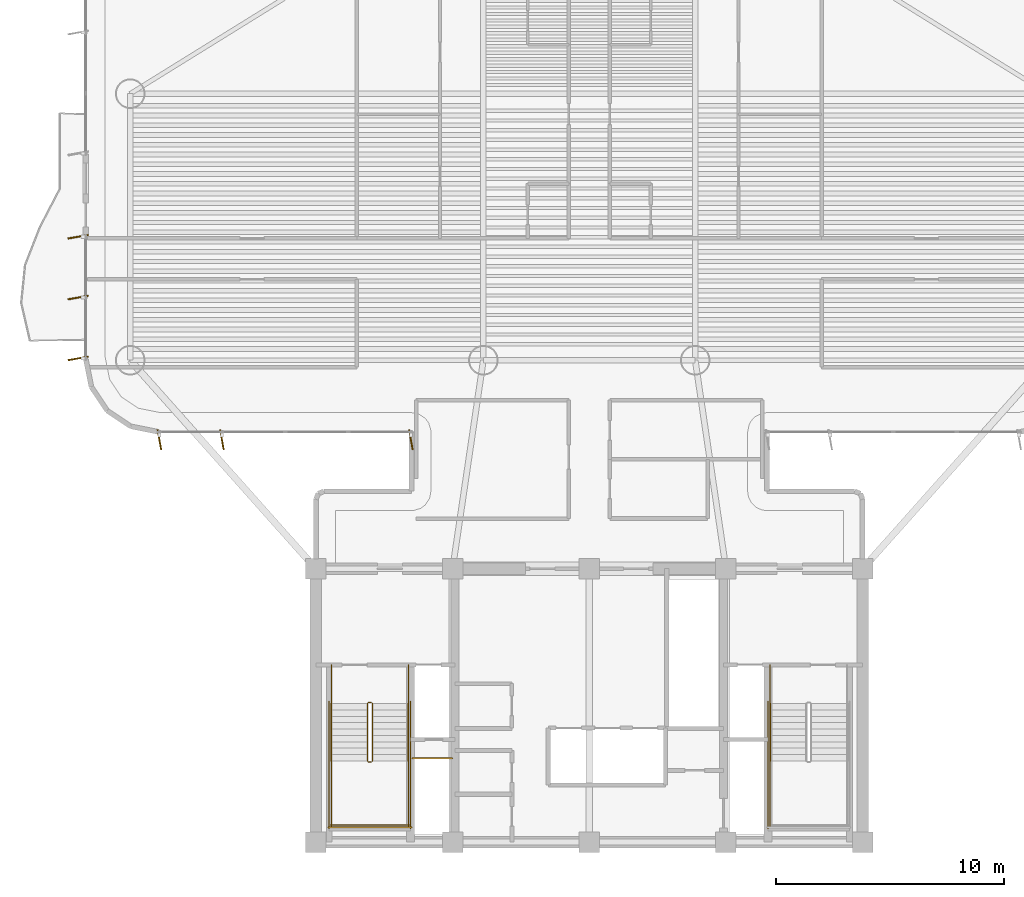
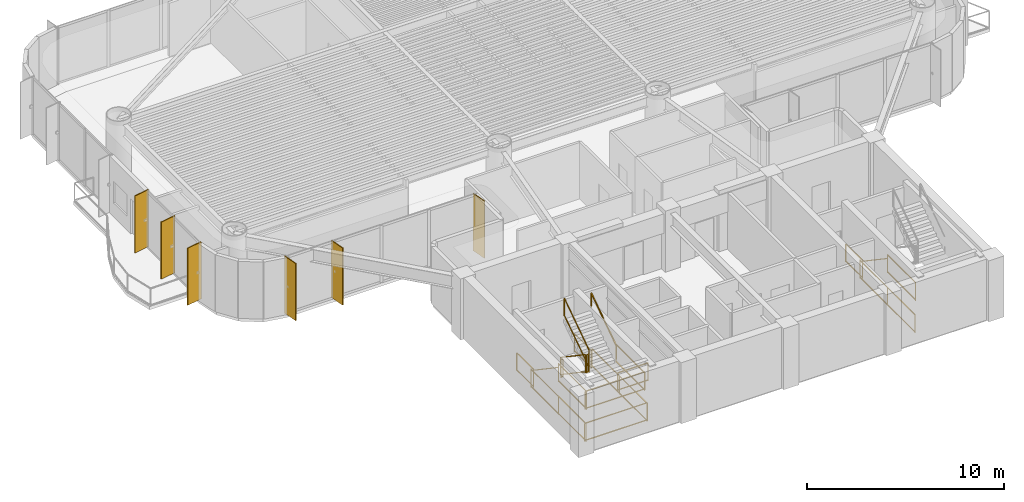
# One storey, part 13 of 16: 19 railings, 6 shading devices.
"""IFC4 building model written with IfcOpenShell, lengths in metres."""

from ifc_helpers import new_model, si_unit, direction, frame, origin, origin_2d, place, context, subcontext, project, spatial, rectangle, extrude, source, transform, mapped, material, layer, layer_set, material_profile, profile_set, type_object, element, save


model = new_model("IFC4")

# Units and contexts
model_context = context("Model", 3, precision=1e-05, world=origin(), true_north=direction((0.0, 1.0)))
body_context = subcontext(model_context, "Body", "Model", "MODEL_VIEW")
ifc_project = project(units=[si_unit("LENGTHUNIT", "METRE"), si_unit("AREAUNIT", "SQUARE_METRE"), si_unit("VOLUMEUNIT", "CUBIC_METRE"), si_unit("PLANEANGLEUNIT", "RADIAN"), si_unit("MASSUNIT", "GRAM", prefix="KILO")], contexts=[model_context])

# Site, building, storey
site_placement = place(None, origin())
site = spatial("IfcSite", under=ifc_project, at=site_placement, CompositionType="ELEMENT")
building_placement = place(site_placement, origin())
building = spatial("IfcBuilding", under=site, at=building_placement, Name="Brelvock Crest Care Tower", CompositionType="ELEMENT")
storey_placement = place(building_placement, frame((0.0, 0.0, 138.9599609375)))
storey = spatial("IfcBuildingStorey", under=building, at=storey_placement, Name="L35", CompositionType="ELEMENT", Elevation=138.9599609375)

# Railings
ifc_material_1 = material(Name="Steel Grade 350", Category="steel")
ifc_layer_1 = layer(ifc_material_1, 0.050048828125, Name="RL-STG1")
ifc_layer_set_1 = layer_set([ifc_layer_1], Name="Steel Grade 350")
railing_type_1 = type_object("IfcRailingType", Name="RL-STG1", PredefinedType="GUARDRAIL", material=ifc_layer_set_1)
railing_1_placement = place(storey_placement, frame((26.260009765625, 12.080078125, 0.18896484375)))
element("IfcRailing", 1, at=railing_1_placement, inside=storey, type_object=railing_type_1, Name="L35 ST-1 stair guard 1", PredefinedType="GUARDRAIL", context=body_context, shape_type="SweptSolid", body=[
    extrude(rectangle(XDim=0.048095703125, YDim=0.048095703125, at=origin_2d()), frame((0.0, -0.001708984375, 1.116943359375), z_axis=(0.0, -0.82882447046, 0.559508710537), x_axis=(1.0, 0.0, 0.0)), (0.0, 0.0, 1.0), 3.036376953125),
    extrude(rectangle(XDim=0.048095703125, YDim=0.048095703125, at=origin_2d()), frame((0.0, -0.001708984375, 0.05615234375), z_axis=(0.0, -0.82882447046, 0.559508710537), x_axis=(1.0, 0.0, 0.0)), (0.0, 0.0, 1.0), 3.036376953125),
    extrude(rectangle(XDim=0.0419921875, YDim=0.0419921875, at=origin_2d()), origin(), (0.0, 0.0, 1.0), 1.08984375),
    extrude(rectangle(XDim=0.0419921875, YDim=0.0419921875, at=origin_2d()), frame((0.0, -2.52001953125, 1.701171875)), (0.0, 0.0, 1.0), 1.08984375),
])
railing_2_placement = place(storey_placement, frame((26.31005859375, 9.510009765625, 1.89013671875)))
element("IfcRailing", 2, at=railing_2_placement, inside=storey, type_object=railing_type_1, Name="L35 ST-1 stair guard 2", PredefinedType="GUARDRAIL", context=body_context, shape_type="SweptSolid", body=[
    extrude(rectangle(XDim=0.048095703125, YDim=0.048095703125, at=origin_2d()), frame((0.001953125, 0.0, 1.11572265625), z_axis=(1.0, 0.0, 0.0), x_axis=(0.0, 1.0, 0.0)), (0.0, 0.0, 1.0), 0.115966796875),
    extrude(rectangle(XDim=0.048095703125, YDim=0.048095703125, at=origin_2d()), frame((0.001953125, 0.0, 0.054931640625), z_axis=(1.0, 0.0, 0.0), x_axis=(0.0, 1.0, 0.0)), (0.0, 0.0, 1.0), 0.115966796875),
    extrude(rectangle(XDim=0.0419921875, YDim=0.0419921875, at=origin_2d()), origin(), (0.0, 0.0, 1.0), 1.08984375),
    extrude(rectangle(XDim=0.0419921875, YDim=0.0419921875, at=origin_2d()), frame((0.119873046875, 0.0, 0.0)), (0.0, 0.0, 1.0), 1.08984375),
])
for number, where, name in (
    (3, (24.679931640625, 9.56005859375, 1.89013671875), "L35 ST-1 stair guard 3"),
    (4, (28.06005859375, 9.56005859375, 1.89013671875), "L35 ST-1 stair guard 4"),
):
    element("IfcRailing", number, at=place(storey_placement, frame(where)), inside=storey, type_object=railing_type_1, Name=name, PredefinedType="GUARDRAIL", context=body_context, shape_type="SweptSolid", body=[
        extrude(rectangle(XDim=0.048095703125, YDim=0.048095703125, at=origin_2d()), frame((0.0, -0.001953125, 1.11572265625), z_axis=(0.0, -1.0, 0.0), x_axis=(1.0, 0.0, 0.0)), (0.0, 0.0, 1.0), 2.856201171875),
        extrude(rectangle(XDim=0.048095703125, YDim=0.048095703125, at=origin_2d()), frame((0.0, -0.001953125, 0.054931640625), z_axis=(0.0, -1.0, 0.0), x_axis=(1.0, 0.0, 0.0)), (0.0, 0.0, 1.0), 2.856201171875),
        extrude(rectangle(XDim=0.0419921875, YDim=0.0419921875, at=origin_2d()), origin(), (0.0, 0.0, 1.0), 1.08984375),
        extrude(rectangle(XDim=0.0419921875, YDim=0.0419921875, at=origin_2d()), frame((0.0, -2.860107421875, 0.0)), (0.0, 0.0, 1.0), 1.08984375),
    ])
railing_3_placement = place(storey_placement, frame((24.6298828125, 6.75, 1.89013671875)))
element("IfcRailing", 5, at=railing_3_placement, inside=storey, type_object=railing_type_1, Name="L35 ST-1 stair guard 5", PredefinedType="GUARDRAIL", context=body_context, shape_type="SweptSolid", body=[
    extrude(rectangle(XDim=0.048095703125, YDim=0.048095703125, at=origin_2d()), frame((0.001953125, 0.0, 1.11572265625), z_axis=(1.0, 0.0, 0.0), x_axis=(0.0, 1.0, 0.0)), (0.0, 0.0, 1.0), 3.476318359375),
    extrude(rectangle(XDim=0.048095703125, YDim=0.048095703125, at=origin_2d()), frame((0.001953125, 0.0, 0.054931640625), z_axis=(1.0, 0.0, 0.0), x_axis=(0.0, 1.0, 0.0)), (0.0, 0.0, 1.0), 3.476318359375),
    extrude(rectangle(XDim=0.0419921875, YDim=0.0419921875, at=origin_2d()), origin(), (0.0, 0.0, 1.0), 1.08984375),
    extrude(rectangle(XDim=0.0419921875, YDim=0.0419921875, at=origin_2d()), frame((3.480224609375, 0.0, 0.0)), (0.0, 0.0, 1.0), 1.08984375),
])
railing_4_placement = place(storey_placement, frame((26.47998046875, 9.56005859375, 2.0791015625)))
element("IfcRailing", 6, at=railing_4_placement, inside=storey, type_object=railing_type_1, Name="L35 ST-1 stair guard 6", PredefinedType="GUARDRAIL", context=body_context, shape_type="SweptSolid", body=[
    extrude(rectangle(XDim=0.048095703125, YDim=0.048095703125, at=origin_2d()), frame((0.0, 0.001708984375, 1.116943359375), z_axis=(0.0, 0.828861706735, 0.559453546873), x_axis=(-1.0, 0.0, 0.0)), (0.0, 0.0, 1.0), 3.036376953125),
    extrude(rectangle(XDim=0.048095703125, YDim=0.048095703125, at=origin_2d()), frame((0.0, 0.001708984375, 0.05615234375), z_axis=(0.0, 0.828861706735, 0.559453546873), x_axis=(-1.0, 0.0, 0.0)), (0.0, 0.0, 1.0), 3.036376953125),
    extrude(rectangle(XDim=0.0419921875, YDim=0.0419921875, at=origin_2d()), origin(), (0.0, 0.0, 1.0), 1.08984375),
    extrude(rectangle(XDim=0.0419921875, YDim=0.0419921875, at=origin_2d()), frame((0.0, 2.52001953125, 1.700927734375)), (0.0, 0.0, 1.0), 1.08984375),
])
railing_5_placement = place(storey_placement, frame((26.31005859375, 12.1298828125, 0.0)))
element("IfcRailing", 7, at=railing_5_placement, inside=storey, type_object=railing_type_1, Name="L35 ST-1 stair guard 7", PredefinedType="GUARDRAIL", context=body_context, shape_type="SweptSolid", body=[
    extrude(rectangle(XDim=0.048095703125, YDim=0.048095703125, at=origin_2d()), frame((0.001953125, 0.0, 1.11572265625), z_axis=(1.0, 0.0, 0.0), x_axis=(0.0, 1.0, 0.0)), (0.0, 0.0, 1.0), 0.115966796875),
    extrude(rectangle(XDim=0.048095703125, YDim=0.048095703125, at=origin_2d()), frame((0.001953125, 0.0, 0.054931640625), z_axis=(1.0, 0.0, 0.0), x_axis=(0.0, 1.0, 0.0)), (0.0, 0.0, 1.0), 0.115966796875),
    extrude(rectangle(XDim=0.0419921875, YDim=0.0419921875, at=origin_2d()), origin(), (0.0, 0.0, 1.0), 1.08984375),
    extrude(rectangle(XDim=0.0419921875, YDim=0.0419921875, at=origin_2d()), frame((0.119873046875, 0.0, 0.0)), (0.0, 0.0, 1.0), 1.08984375),
])
for number, where, name in (
    (8, (24.679931640625, 13.780029296875, 0.0), "L35 ST-1 stair guard 8"),
    (9, (28.06005859375, 13.780029296875, 0.0), "L35 ST-1 stair guard 9"),
):
    element("IfcRailing", number, at=place(storey_placement, frame(where)), inside=storey, type_object=railing_type_1, Name=name, PredefinedType="GUARDRAIL", context=body_context, shape_type="SweptSolid", body=[
        extrude(rectangle(XDim=0.048095703125, YDim=0.048095703125, at=origin_2d()), frame((0.0, -0.001953125, 1.11572265625), z_axis=(0.0, -1.0, 0.0), x_axis=(1.0, 0.0, 0.0)), (0.0, 0.0, 1.0), 1.696044921875),
        extrude(rectangle(XDim=0.048095703125, YDim=0.048095703125, at=origin_2d()), frame((0.0, -0.001953125, 0.054931640625), z_axis=(0.0, -1.0, 0.0), x_axis=(1.0, 0.0, 0.0)), (0.0, 0.0, 1.0), 1.696044921875),
        extrude(rectangle(XDim=0.0419921875, YDim=0.0419921875, at=origin_2d()), origin(), (0.0, 0.0, 1.0), 1.08984375),
        extrude(rectangle(XDim=0.0419921875, YDim=0.0419921875, at=origin_2d()), frame((0.0, -1.699951171875, 0.0)), (0.0, 0.0, 1.0), 1.08984375),
    ])
for number, where, name in (
    (10, (24.580078125, 12.179931640625, 0.0), "L35 ST-1 stair guard 10"),
    (11, (28.159912109375, 12.179931640625, 0.0), "L35 ST-1 stair guard 11"),
):
    element("IfcRailing", number, at=place(storey_placement, frame(where)), inside=storey, type_object=railing_type_1, Name=name, PredefinedType="GUARDRAIL", context=body_context, shape_type="SweptSolid", body=[
        extrude(rectangle(XDim=0.048095703125, YDim=0.048095703125, at=origin_2d()), frame((0.0, -0.001953125, 1.11572265625), z_axis=(0.0, -1.0, 0.0), x_axis=(1.0, 0.0, 0.0)), (0.0, 0.0, 1.0), 5.575927734375),
        extrude(rectangle(XDim=0.048095703125, YDim=0.048095703125, at=origin_2d()), frame((0.0, -0.001953125, 0.054931640625), z_axis=(0.0, -1.0, 0.0), x_axis=(1.0, 0.0, 0.0)), (0.0, 0.0, 1.0), 5.575927734375),
        extrude(rectangle(XDim=0.0419921875, YDim=0.0419921875, at=origin_2d()), origin(), (0.0, 0.0, 1.0), 1.08984375),
        extrude(rectangle(XDim=0.0419921875, YDim=0.0419921875, at=origin_2d()), frame((0.0, -2.7900390625, 0.0)), (0.0, 0.0, 1.0), 1.08984375),
        extrude(rectangle(XDim=0.0419921875, YDim=0.0419921875, at=origin_2d()), frame((0.0, -5.579833984375, 0.0)), (0.0, 0.0, 1.0), 1.08984375),
    ])
railing_6_placement = place(storey_placement, frame((24.530029296875, 6.64990234375, 0.0)))
element("IfcRailing", 12, at=railing_6_placement, inside=storey, type_object=railing_type_1, Name="L35 ST-1 stair guard 12", PredefinedType="GUARDRAIL", context=body_context, shape_type="SweptSolid", body=[
    extrude(rectangle(XDim=0.048095703125, YDim=0.048095703125, at=origin_2d()), frame((0.001953125, 0.0, 1.11572265625), z_axis=(1.0, 0.0, 0.0), x_axis=(0.0, 1.0, 0.0)), (0.0, 0.0, 1.0), 3.676025390625),
    extrude(rectangle(XDim=0.048095703125, YDim=0.048095703125, at=origin_2d()), frame((0.001953125, 0.0, 0.054931640625), z_axis=(1.0, 0.0, 0.0), x_axis=(0.0, 1.0, 0.0)), (0.0, 0.0, 1.0), 3.676025390625),
    extrude(rectangle(XDim=0.0419921875, YDim=0.0419921875, at=origin_2d()), origin(), (0.0, 0.0, 1.0), 1.08984375),
    extrude(rectangle(XDim=0.0419921875, YDim=0.0419921875, at=origin_2d()), frame((3.679931640625, 0.0, 0.0)), (0.0, 0.0, 1.0), 1.08984375),
])
railing_7_placement = place(storey_placement, frame((43.93994140625, 9.56005859375, 1.89013671875)))
element("IfcRailing", 13, at=railing_7_placement, inside=storey, type_object=railing_type_1, Name="L35 ST-2 stair guard 3", PredefinedType="GUARDRAIL", context=body_context, shape_type="SweptSolid", body=[
    extrude(rectangle(XDim=0.048095703125, YDim=0.048095703125, at=origin_2d()), frame((0.0, -0.001953125, 1.11572265625), z_axis=(0.0, -1.0, 0.0), x_axis=(1.0, 0.0, 0.0)), (0.0, 0.0, 1.0), 2.856201171875),
    extrude(rectangle(XDim=0.048095703125, YDim=0.048095703125, at=origin_2d()), frame((0.0, -0.001953125, 0.054931640625), z_axis=(0.0, -1.0, 0.0), x_axis=(1.0, 0.0, 0.0)), (0.0, 0.0, 1.0), 2.856201171875),
    extrude(rectangle(XDim=0.0419921875, YDim=0.0419921875, at=origin_2d()), origin(), (0.0, 0.0, 1.0), 1.08984375),
    extrude(rectangle(XDim=0.0419921875, YDim=0.0419921875, at=origin_2d()), frame((0.0, -2.860107421875, 0.0)), (0.0, 0.0, 1.0), 1.08984375),
])
railing_8_placement = place(storey_placement, frame((43.93994140625, 13.780029296875, 0.0)))
element("IfcRailing", 14, at=railing_8_placement, inside=storey, type_object=railing_type_1, Name="L35 ST-2 stair guard 8", PredefinedType="GUARDRAIL", context=body_context, shape_type="SweptSolid", body=[
    extrude(rectangle(XDim=0.048095703125, YDim=0.048095703125, at=origin_2d()), frame((0.0, -0.001953125, 1.11572265625), z_axis=(0.0, -1.0, 0.0), x_axis=(1.0, 0.0, 0.0)), (0.0, 0.0, 1.0), 1.696044921875),
    extrude(rectangle(XDim=0.048095703125, YDim=0.048095703125, at=origin_2d()), frame((0.0, -0.001953125, 0.054931640625), z_axis=(0.0, -1.0, 0.0), x_axis=(1.0, 0.0, 0.0)), (0.0, 0.0, 1.0), 1.696044921875),
    extrude(rectangle(XDim=0.0419921875, YDim=0.0419921875, at=origin_2d()), origin(), (0.0, 0.0, 1.0), 1.08984375),
    extrude(rectangle(XDim=0.0419921875, YDim=0.0419921875, at=origin_2d()), frame((0.0, -1.699951171875, 0.0)), (0.0, 0.0, 1.0), 1.08984375),
])
railing_9_placement = place(storey_placement, frame((43.840087890625, 12.179931640625, 0.0)))
element("IfcRailing", 15, at=railing_9_placement, inside=storey, type_object=railing_type_1, Name="L35 ST-2 stair guard 10", PredefinedType="GUARDRAIL", context=body_context, shape_type="SweptSolid", body=[
    extrude(rectangle(XDim=0.048095703125, YDim=0.048095703125, at=origin_2d()), frame((0.0, -0.001953125, 1.11572265625), z_axis=(0.0, -1.0, 0.0), x_axis=(1.0, 0.0, 0.0)), (0.0, 0.0, 1.0), 5.575927734375),
    extrude(rectangle(XDim=0.048095703125, YDim=0.048095703125, at=origin_2d()), frame((0.0, -0.001953125, 0.054931640625), z_axis=(0.0, -1.0, 0.0), x_axis=(1.0, 0.0, 0.0)), (0.0, 0.0, 1.0), 5.575927734375),
    extrude(rectangle(XDim=0.0419921875, YDim=0.0419921875, at=origin_2d()), origin(), (0.0, 0.0, 1.0), 1.08984375),
    extrude(rectangle(XDim=0.0419921875, YDim=0.0419921875, at=origin_2d()), frame((0.0, -2.7900390625, 0.0)), (0.0, 0.0, 1.0), 1.08984375),
    extrude(rectangle(XDim=0.0419921875, YDim=0.0419921875, at=origin_2d()), frame((0.0, -5.579833984375, 0.0)), (0.0, 0.0, 1.0), 1.08984375),
])
railing_10_placement = place(storey_placement, frame((28.219970703125, 9.679931640625, 0.0)))
element("IfcRailing", 16, at=railing_10_placement, inside=storey, type_object=railing_type_1, Name="L35 Fire Riser Threshold Guard", PredefinedType="GUARDRAIL", context=body_context, shape_type="SweptSolid", body=[
    extrude(rectangle(XDim=0.048095703125, YDim=0.048095703125, at=origin_2d()), frame((0.001953125, 0.0, 1.11572265625), z_axis=(1.0, 0.0, 0.0), x_axis=(0.0, 1.0, 0.0)), (0.0, 0.0, 1.0), 1.776123046875),
    extrude(rectangle(XDim=0.048095703125, YDim=0.048095703125, at=origin_2d()), frame((0.001953125, 0.0, 0.054931640625), z_axis=(1.0, 0.0, 0.0), x_axis=(0.0, 1.0, 0.0)), (0.0, 0.0, 1.0), 1.776123046875),
    extrude(rectangle(XDim=0.0419921875, YDim=0.0419921875, at=origin_2d()), origin(), (0.0, 0.0, 1.0), 1.08984375),
    extrude(rectangle(XDim=0.0419921875, YDim=0.0419921875, at=origin_2d()), frame((1.780029296875, 0.0, 0.0)), (0.0, 0.0, 1.0), 1.08984375),
])
ifc_layer_2 = layer(ifc_material_1, 0.048095703125, Name="RL-STH1")
ifc_layer_set_2 = layer_set([ifc_layer_2], Name="Steel Grade 350")
railing_type_2 = type_object("IfcRailingType", Name="RL-STH1", PredefinedType="HANDRAIL", material=ifc_layer_set_2)
railing_11_placement = place(storey_placement, frame((24.679931640625, 12.080078125, 0.18896484375)))
element("IfcRailing", 17, at=railing_11_placement, inside=storey, type_object=railing_type_2, Name="L35 ST-1 stair handrail 1", PredefinedType="HANDRAIL", context=body_context, shape_type="SweptSolid", body=[
    extrude(rectangle(XDim=0.048095703125, YDim=0.048095703125, at=origin_2d()), frame((0.0, -0.001708984375, 0.876953125), z_axis=(0.0, -0.82882447046, 0.559508710537), x_axis=(1.0, 0.0, 0.0)), (0.0, 0.0, 1.0), 3.036376953125),
    extrude(rectangle(XDim=0.0419921875, YDim=0.0419921875, at=origin_2d()), origin(), (0.0, 0.0, 1.0), 0.849853515625),
    extrude(rectangle(XDim=0.0419921875, YDim=0.0419921875, at=origin_2d()), frame((0.0, -2.52001953125, 1.701171875)), (0.0, 0.0, 1.0), 0.849853515625),
])
railing_12_placement = place(storey_placement, frame((28.06005859375, 9.56005859375, 2.0791015625)))
element("IfcRailing", 18, at=railing_12_placement, inside=storey, type_object=railing_type_2, Name="L35 ST-1 stair handrail 2", PredefinedType="HANDRAIL", context=body_context, shape_type="SweptSolid", body=[
    extrude(rectangle(XDim=0.048095703125, YDim=0.048095703125, at=origin_2d()), frame((0.0, 0.001708984375, 0.876953125), z_axis=(0.0, 0.828861706735, 0.559453546873), x_axis=(-1.0, 0.0, 0.0)), (0.0, 0.0, 1.0), 3.036376953125),
    extrude(rectangle(XDim=0.0419921875, YDim=0.0419921875, at=origin_2d()), origin(), (0.0, 0.0, 1.0), 0.849853515625),
    extrude(rectangle(XDim=0.0419921875, YDim=0.0419921875, at=origin_2d()), frame((0.0, 2.52001953125, 1.700927734375)), (0.0, 0.0, 1.0), 0.849853515625),
])
railing_13_placement = place(storey_placement, frame((43.93994140625, 12.080078125, 0.18896484375)))
element("IfcRailing", 19, at=railing_13_placement, inside=storey, type_object=railing_type_2, Name="L35 ST-2 stair handrail 1", PredefinedType="HANDRAIL", context=body_context, shape_type="SweptSolid", body=[
    extrude(rectangle(XDim=0.048095703125, YDim=0.048095703125, at=origin_2d()), frame((0.0, -0.001708984375, 0.876953125), z_axis=(0.0, -0.82882447046, 0.559508710537), x_axis=(1.0, 0.0, 0.0)), (0.0, 0.0, 1.0), 3.036376953125),
    extrude(rectangle(XDim=0.0419921875, YDim=0.0419921875, at=origin_2d()), origin(), (0.0, 0.0, 1.0), 0.849853515625),
    extrude(rectangle(XDim=0.0419921875, YDim=0.0419921875, at=origin_2d()), frame((0.0, -2.52001953125, 1.701171875)), (0.0, 0.0, 1.0), 0.849853515625),
])

# Shading devices
ifc_material_2 = material(Name="Aluminium 6063-T6", Category="aluminium")
ifc_material_profile = material_profile(ifc_material_2, rectangle(XDim=0.054931640625, YDim=0.89990234375, at=origin_2d()), Name="FIN55x900")
ifc_profile_set = profile_set([ifc_material_profile], Name="Aluminium 6063-T6")
shading_device_type = type_object("IfcShadingDeviceType", Name="SHD-FIN1", PredefinedType="USERDEFINED", material=ifc_profile_set)
shared_shape = source(origin(), body_context, "Body", "SweptSolid", [
    extrude(rectangle(XDim=0.054931640625, YDim=0.89990234375, at=origin_2d()), origin(), (0.0, 0.0, 1.0), 3.530029296875),
])
for number, where, z_axis, x_axis, name in (
    (20, (28.169921875, 23.659912109375, 0.0), (0.0, 0.0, 1.0), (-0.984807753012, -0.173648177667, 0.0), "L35 Vertical Sunshade Fin E12-01"),
    (21, (19.875, 23.659912109375, 0.0), (0.0, 0.0, 1.0), (-0.984807753012, -0.173648177667, 0.0), "L35 Vertical Sunshade Fin E12-04"),
    (22, (17.1298828125, 23.659912109375, 0.0), (0.0, 0.0, 1.0), (-0.984807753012, -0.173648177667, 0.0), "L35 Vertical Sunshade Fin E12-05"),
    (23, (13.56005859375, 27.22998046875, 0.0), (0.0, 0.0, 1.0), (-0.173648177667, 0.984807753012, 0.0), "L35 Vertical Sunshade Fin E17A-01"),
    (24, (13.56005859375, 29.89990234375, 0.0), (0.0, 0.0, 1.0), (-0.173648177667, 0.984807753012, 0.0), "L35 Vertical Sunshade Fin E17A-02"),
    (25, (13.56005859375, 32.570068359375, 0.0), (0.0, 0.0, 1.0), (-0.173648177667, 0.984807753012, 0.0), "L35 Vertical Sunshade Fin E17A-03"),
):
    element("IfcShadingDevice", number, at=place(storey_placement, frame(where, z_axis=z_axis, x_axis=x_axis)), inside=storey, type_object=shading_device_type, Name=name, ObjectType="FIN", PredefinedType="USERDEFINED", context=body_context, shape_type="MappedRepresentation", body=[
        mapped(shared_shape, transform((0.0, 0.0, 0.0), x_axis=(1.0, 0.0, 0.0), y_axis=(0.0, 1.0, 0.0), z_axis=(0.0, 0.0, 1.0), scale=1.0)),
    ])

save(model, "model.ifc")
